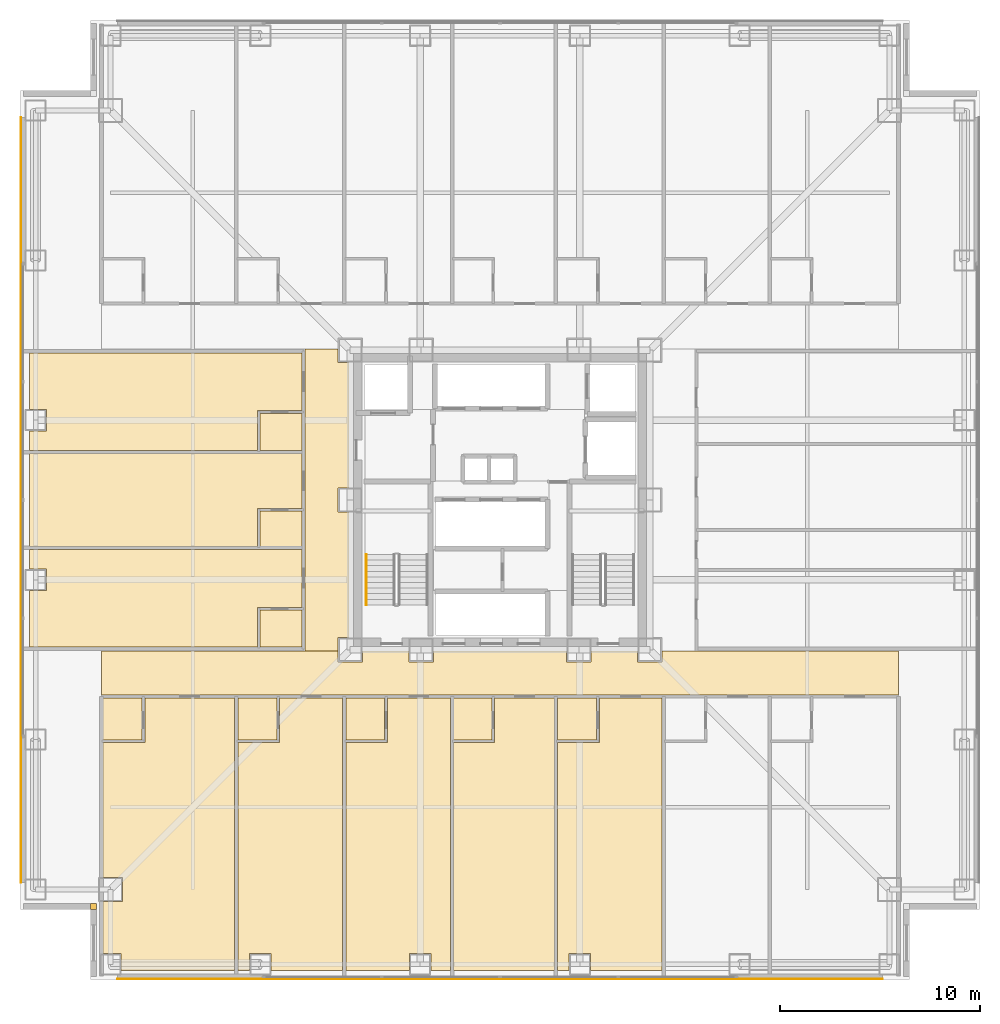
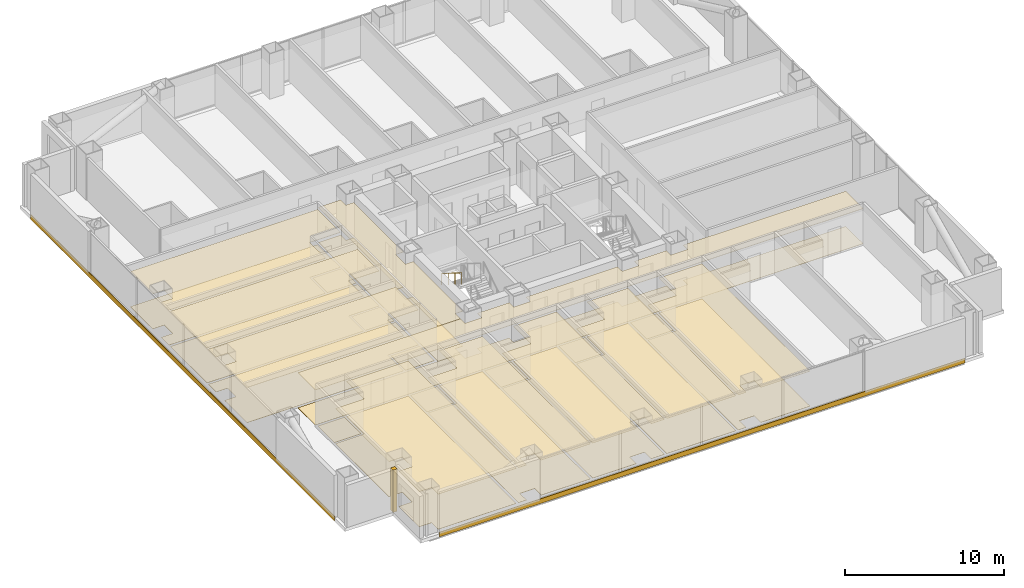
# One storey, part 21 of 23: 31 coverings, 1 railing.
"""IFC4 building model written with IfcOpenShell, lengths in metres."""

from ifc_helpers import new_model, si_unit, direction, frame, frame_2d, origin, origin_2d, place, context, subcontext, project, spatial, polyline, rectangle, circle, outline, extrude, material, layer, layer_set, type_object, element, save


model = new_model("IFC4")

# Units and contexts
model_context = context("Model", 3, precision=1e-05, world=origin(), true_north=direction((0.0, 1.0)))
body_context = subcontext(model_context, "Body", "Model", "MODEL_VIEW")
ifc_project = project(units=[si_unit("LENGTHUNIT", "METRE"), si_unit("AREAUNIT", "SQUARE_METRE"), si_unit("VOLUMEUNIT", "CUBIC_METRE"), si_unit("PLANEANGLEUNIT", "RADIAN"), si_unit("MASSUNIT", "GRAM", prefix="KILO")], contexts=[model_context])

# Site, building, storey
site_placement = place(None, origin())
site = spatial("IfcSite", under=ifc_project, at=site_placement, CompositionType="ELEMENT")
building_placement = place(site_placement, origin())
building = spatial("IfcBuilding", under=site, at=building_placement, Name="Trevonay Congress Spire", CompositionType="ELEMENT")
storey_placement = place(building_placement, frame((0.0, 0.0, 34.0)))
storey = spatial("IfcBuildingStorey", under=building, at=storey_placement, Name="L07", CompositionType="ELEMENT", Elevation=34.0)

# Coverings
ifc_material_1 = material(Name="Acoustic Mineral Fibre Board", Category="gypsum")
ifc_layer_1 = layer(ifc_material_1, 0.02490234375, Name="Acoustic Mineral Fibre Board")
ifc_layer_set_1 = layer_set([ifc_layer_1], Name="Acoustic Mineral Fibre Board")
covering_type_1 = type_object("IfcCoveringType", Name="COV-CEIL-ACOUSTIC", PredefinedType="CEILING", material=ifc_layer_set_1)
covering_1_placement = place(storey_placement, frame((0.0, 0.0, 2.699951171875)))
element("IfcCovering", 1, at=covering_1_placement, inside=storey, type_object=covering_type_1, Name="L07 Hotel Floor Corridor South acoustic suspended ceiling", PredefinedType="CEILING", context=body_context, shape_type="SweptSolid", body=[
    extrude(outline(polyline([(19.949951171875, -7.550048828125), (19.949951171875, -9.75), (-19.949951171875, -9.75), (-19.949951171875, -7.550048828125), (-8.110107421875, -7.550048828125), (-8.110107421875, -8.110107421875), (-6.889892578125, -8.110107421875), (-6.889892578125, -7.550048828125), (-4.56005859375, -7.550048828125), (-4.56005859375, -8.110107421875), (-3.340087890625, -8.110107421875), (-3.340087890625, -7.550048828125), (3.340087890625, -7.550048828125), (3.340087890625, -8.110107421875), (4.56005859375, -8.110107421875), (4.56005859375, -7.550048828125), (6.889892578125, -7.550048828125), (6.889892578125, -8.110107421875), (8.110107421875, -8.110107421875), (8.110107421875, -7.550048828125), (19.949951171875, -7.550048828125)])), origin(), (0.0, 0.0, 1.0), 0.025146484375),
])
covering_2_placement = place(storey_placement, frame((0.0, 0.0, 2.699951171875)))
element("IfcCovering", 2, at=covering_2_placement, inside=storey, type_object=covering_type_1, Name="L07 Hotel Floor Corridor West acoustic suspended ceiling", PredefinedType="CEILING", context=body_context, shape_type="SweptSolid", body=[
    extrude(outline(polyline([(-9.75, 7.550048828125), (-8.110107421875, 7.550048828125), (-8.110107421875, 6.889892578125), (-7.550048828125, 6.889892578125), (-7.550048828125, 0.610107421875), (-8.110107421875, 0.610107421875), (-8.110107421875, -0.610107421875), (-7.550048828125, -0.610107421875), (-7.550048828125, -6.889892578125), (-8.110107421875, -6.889892578125), (-8.110107421875, -7.550048828125), (-9.75, -7.550048828125), (-9.75, 7.550048828125)])), origin(), (0.0, 0.0, 1.0), 0.025146484375),
])
covering_3_placement = place(storey_placement, frame((0.0, 0.0, 2.699951171875)))
element("IfcCovering", 3, at=covering_3_placement, inside=storey, type_object=covering_type_1, Name="L07 Corner Hotel Suite acoustic suspended ceiling", PredefinedType="CEILING", context=body_context, shape_type="SweptSolid", body=[
    extrude(outline(polyline([(-19.8701171875, -12.139892578125), (-17.780029296875, -12.139892578125), (-17.780029296875, -9.909912109375), (-13.280029296875, -9.909912109375), (-13.280029296875, -23.550048828125), (-18.965087890625, -23.550048828125), (-18.965087890625, -22.715087890625), (-19.8701171875, -22.715087890625), (-19.8701171875, -20.110107421875), (-18.889892578125, -20.110107421875), (-18.889892578125, -18.889892578125), (-19.8701171875, -18.889892578125), (-19.8701171875, -12.139892578125)])), origin(), (0.0, 0.0, 1.0), 0.025146484375),
])
covering_4_placement = place(storey_placement, frame((0.0, 0.0, 2.699951171875)))
element("IfcCovering", 4, at=covering_4_placement, inside=storey, type_object=covering_type_1, Name="L07 Hotel Guest Room acoustic suspended ceiling", PredefinedType="CEILING", context=body_context, shape_type="SweptSolid", body=[
    extrude(outline(polyline([(-13.1201171875, -23.550048828125), (-13.1201171875, -12.139892578125), (-11.030029296875, -12.139892578125), (-11.030029296875, -9.909912109375), (-7.8798828125, -9.909912109375), (-7.8798828125, -23.550048828125), (-11.465087890625, -23.550048828125), (-11.465087890625, -22.715087890625), (-12.534912109375, -22.715087890625), (-12.534912109375, -23.550048828125), (-13.1201171875, -23.550048828125)])), origin(), (0.0, 0.0, 1.0), 0.025146484375),
])
covering_5_placement = place(storey_placement, frame((0.0, 0.0, 2.699951171875)))
element("IfcCovering", 5, at=covering_5_placement, inside=storey, type_object=covering_type_1, Name="L07 Hotel Guest Room acoustic suspended ceiling", PredefinedType="CEILING", context=body_context, shape_type="SweptSolid", body=[
    extrude(outline(polyline([(-7.719970703125, -23.550048828125), (-7.719970703125, -12.139892578125), (-5.6298828125, -12.139892578125), (-5.6298828125, -9.909912109375), (-2.47998046875, -9.909912109375), (-2.47998046875, -23.550048828125), (-3.465087890625, -23.550048828125), (-3.465087890625, -22.715087890625), (-4.534912109375, -22.715087890625), (-4.534912109375, -23.550048828125), (-7.719970703125, -23.550048828125)])), origin(), (0.0, 0.0, 1.0), 0.025146484375),
])
covering_6_placement = place(storey_placement, frame((0.0, 0.0, 2.699951171875)))
element("IfcCovering", 6, at=covering_6_placement, inside=storey, type_object=covering_type_1, Name="L07 Hotel Guest Room acoustic suspended ceiling", PredefinedType="CEILING", context=body_context, shape_type="SweptSolid", body=[
    extrude(outline(polyline([(-2.320068359375, -23.550048828125), (2.719970703125, -23.550048828125), (2.719970703125, -9.909912109375), (-0.264892578125, -9.909912109375), (-0.264892578125, -12.139892578125), (-2.320068359375, -12.139892578125), (-2.320068359375, -23.550048828125)])), origin(), (0.0, 0.0, 1.0), 0.025146484375),
])
covering_7_placement = place(storey_placement, frame((0.0, 0.0, 2.699951171875)))
element("IfcCovering", 7, at=covering_7_placement, inside=storey, type_object=covering_type_1, Name="L07 Hotel Guest Room acoustic suspended ceiling", PredefinedType="CEILING", context=body_context, shape_type="SweptSolid", body=[
    extrude(outline(polyline([(2.8798828125, -23.550048828125), (2.8798828125, -12.139892578125), (4.969970703125, -12.139892578125), (4.969970703125, -9.909912109375), (8.1201171875, -9.909912109375), (8.1201171875, -23.550048828125), (4.534912109375, -23.550048828125), (4.534912109375, -22.715087890625), (3.465087890625, -22.715087890625), (3.465087890625, -23.550048828125), (2.8798828125, -23.550048828125)])), origin(), (0.0, 0.0, 1.0), 0.025146484375),
])
covering_8_placement = place(storey_placement, frame((0.0, 0.0, 2.699951171875)))
element("IfcCovering", 8, at=covering_8_placement, inside=storey, type_object=covering_type_1, Name="L07 Hotel Guest Room acoustic suspended ceiling", PredefinedType="CEILING", context=body_context, shape_type="SweptSolid", body=[
    extrude(outline(polyline([(-23.550048828125, -4.534912109375), (-22.715087890625, -4.534912109375), (-22.715087890625, -3.465087890625), (-23.550048828125, -3.465087890625), (-23.550048828125, -2.47998046875), (-9.909912109375, -2.47998046875), (-9.909912109375, -5.3720703125), (-12.139892578125, -5.3720703125), (-12.139892578125, -7.3701171875), (-23.550048828125, -7.3701171875), (-23.550048828125, -4.534912109375)])), origin(), (0.0, 0.0, 1.0), 0.025146484375),
])
covering_9_placement = place(storey_placement, frame((0.0, 0.0, 2.699951171875)))
element("IfcCovering", 9, at=covering_9_placement, inside=storey, type_object=covering_type_1, Name="L07 Corner Hotel Suite acoustic suspended ceiling", PredefinedType="CEILING", context=body_context, shape_type="SweptSolid", body=[
    extrude(outline(polyline([(-23.550048828125, -2.320068359375), (-23.550048828125, 2.320068359375), (-9.909912109375, 2.320068359375), (-9.909912109375, -0.4169921875), (-12.139892578125, -0.4169921875), (-12.139892578125, -2.320068359375), (-23.550048828125, -2.320068359375)])), origin(), (0.0, 0.0, 1.0), 0.025146484375),
])
covering_10_placement = place(storey_placement, frame((0.0, 0.0, 2.699951171875)))
element("IfcCovering", 10, at=covering_10_placement, inside=storey, type_object=covering_type_1, Name="L07 Hotel Guest Room acoustic suspended ceiling", PredefinedType="CEILING", context=body_context, shape_type="SweptSolid", body=[
    extrude(outline(polyline([(-23.550048828125, 3.465087890625), (-22.715087890625, 3.465087890625), (-22.715087890625, 4.534912109375), (-23.550048828125, 4.534912109375), (-23.550048828125, 7.3701171875), (-9.909912109375, 7.3701171875), (-9.909912109375, 4.47802734375), (-12.139892578125, 4.47802734375), (-12.139892578125, 2.47998046875), (-23.550048828125, 2.47998046875), (-23.550048828125, 3.465087890625)])), origin(), (0.0, 0.0, 1.0), 0.025146484375),
])
ifc_material_2 = material(Name="Polished Granite Floor Tile", Category="masonry")
ifc_layer_2 = layer(ifc_material_2, 0.02001953125, Name="Polished Granite Floor Tile")
ifc_layer_set_2 = layer_set([ifc_layer_2], Name="Polished Granite Floor Tile")
covering_type_2 = type_object("IfcCoveringType", Name="COV-FLOOR-STONE", PredefinedType="FLOORING", material=ifc_layer_set_2)
covering_11_placement = place(storey_placement, origin())
element("IfcCovering", 11, at=covering_11_placement, inside=storey, type_object=covering_type_2, Name="L07 Hotel Floor Corridor South floor finish", PredefinedType="FLOORING", context=body_context, shape_type="SweptSolid", body=[
    extrude(outline(polyline([(19.949951171875, -7.550048828125), (19.949951171875, -9.75), (-19.949951171875, -9.75), (-19.949951171875, -7.550048828125), (-8.110107421875, -7.550048828125), (-8.110107421875, -8.110107421875), (-6.889892578125, -8.110107421875), (-6.889892578125, -7.550048828125), (-4.56005859375, -7.550048828125), (-4.56005859375, -8.110107421875), (-3.340087890625, -8.110107421875), (-3.340087890625, -7.550048828125), (3.340087890625, -7.550048828125), (3.340087890625, -8.110107421875), (4.56005859375, -8.110107421875), (4.56005859375, -7.550048828125), (6.889892578125, -7.550048828125), (6.889892578125, -8.110107421875), (8.110107421875, -8.110107421875), (8.110107421875, -7.550048828125), (19.949951171875, -7.550048828125)])), origin(), (0.0, 0.0, 1.0), 0.02001953125),
])
covering_12_placement = place(storey_placement, origin())
element("IfcCovering", 12, at=covering_12_placement, inside=storey, type_object=covering_type_2, Name="L07 Hotel Floor Corridor West floor finish", PredefinedType="FLOORING", context=body_context, shape_type="SweptSolid", body=[
    extrude(outline(polyline([(-9.75, 7.550048828125), (-8.110107421875, 7.550048828125), (-8.110107421875, 6.889892578125), (-7.550048828125, 6.889892578125), (-7.550048828125, 0.610107421875), (-8.110107421875, 0.610107421875), (-8.110107421875, -0.610107421875), (-7.550048828125, -0.610107421875), (-7.550048828125, -6.889892578125), (-8.110107421875, -6.889892578125), (-8.110107421875, -7.550048828125), (-9.75, -7.550048828125), (-9.75, 7.550048828125)])), origin(), (0.0, 0.0, 1.0), 0.02001953125),
])
covering_13_placement = place(storey_placement, origin())
element("IfcCovering", 13, at=covering_13_placement, inside=storey, type_object=covering_type_2, Name="L07 En-suite Bathroom floor finish", PredefinedType="FLOORING", context=body_context, shape_type="SweptSolid", body=[
    extrude(outline(polyline([(-19.8701171875, -12.02001953125), (-17.919921875, -12.02001953125), (-17.919921875, -9.909912109375), (-19.8701171875, -9.909912109375), (-19.8701171875, -12.02001953125)])), origin(), (0.0, 0.0, 1.0), 0.02001953125),
])
covering_14_placement = place(storey_placement, origin())
element("IfcCovering", 14, at=covering_14_placement, inside=storey, type_object=covering_type_2, Name="L07 En-suite Bathroom floor finish", PredefinedType="FLOORING", context=body_context, shape_type="SweptSolid", body=[
    extrude(outline(polyline([(-13.1201171875, -12.02001953125), (-11.169921875, -12.02001953125), (-11.169921875, -9.909912109375), (-13.1201171875, -9.909912109375), (-13.1201171875, -12.02001953125)])), origin(), (0.0, 0.0, 1.0), 0.02001953125),
])
covering_15_placement = place(storey_placement, origin())
element("IfcCovering", 15, at=covering_15_placement, inside=storey, type_object=covering_type_2, Name="L07 En-suite Bathroom floor finish", PredefinedType="FLOORING", context=body_context, shape_type="SweptSolid", body=[
    extrude(outline(polyline([(-7.719970703125, -12.02001953125), (-5.77001953125, -12.02001953125), (-5.77001953125, -9.909912109375), (-7.719970703125, -9.909912109375), (-7.719970703125, -12.02001953125)])), origin(), (0.0, 0.0, 1.0), 0.02001953125),
])
covering_16_placement = place(storey_placement, origin())
element("IfcCovering", 16, at=covering_16_placement, inside=storey, type_object=covering_type_2, Name="L07 En-suite Bathroom floor finish", PredefinedType="FLOORING", context=body_context, shape_type="SweptSolid", body=[
    extrude(outline(polyline([(-2.320068359375, -12.02001953125), (-0.405029296875, -12.02001953125), (-0.405029296875, -9.909912109375), (-2.320068359375, -9.909912109375), (-2.320068359375, -12.02001953125)])), origin(), (0.0, 0.0, 1.0), 0.02001953125),
])
covering_17_placement = place(storey_placement, origin())
element("IfcCovering", 17, at=covering_17_placement, inside=storey, type_object=covering_type_2, Name="L07 En-suite Bathroom floor finish", PredefinedType="FLOORING", context=body_context, shape_type="SweptSolid", body=[
    extrude(outline(polyline([(2.8798828125, -12.02001953125), (4.830078125, -12.02001953125), (4.830078125, -9.909912109375), (2.8798828125, -9.909912109375), (2.8798828125, -12.02001953125)])), origin(), (0.0, 0.0, 1.0), 0.02001953125),
])
covering_18_placement = place(storey_placement, origin())
element("IfcCovering", 18, at=covering_18_placement, inside=storey, type_object=covering_type_2, Name="L07 En-suite Bathroom floor finish", PredefinedType="FLOORING", context=body_context, shape_type="SweptSolid", body=[
    extrude(outline(polyline([(-12.02001953125, -7.3701171875), (-9.909912109375, -7.3701171875), (-9.909912109375, -5.511962890625), (-12.02001953125, -5.511962890625), (-12.02001953125, -7.3701171875)])), origin(), (0.0, 0.0, 1.0), 0.02001953125),
])
covering_19_placement = place(storey_placement, origin())
element("IfcCovering", 19, at=covering_19_placement, inside=storey, type_object=covering_type_2, Name="L07 En-suite Bathroom floor finish", PredefinedType="FLOORING", context=body_context, shape_type="SweptSolid", body=[
    extrude(outline(polyline([(-12.02001953125, -2.320068359375), (-9.909912109375, -2.320068359375), (-9.909912109375, -0.556884765625), (-12.02001953125, -0.556884765625), (-12.02001953125, -2.320068359375)])), origin(), (0.0, 0.0, 1.0), 0.02001953125),
])
covering_20_placement = place(storey_placement, origin())
element("IfcCovering", 20, at=covering_20_placement, inside=storey, type_object=covering_type_2, Name="L07 En-suite Bathroom floor finish", PredefinedType="FLOORING", context=body_context, shape_type="SweptSolid", body=[
    extrude(outline(polyline([(-12.02001953125, 2.47998046875), (-9.909912109375, 2.47998046875), (-9.909912109375, 4.337890625), (-12.02001953125, 4.337890625), (-12.02001953125, 2.47998046875)])), origin(), (0.0, 0.0, 1.0), 0.02001953125),
])
ifc_material_3 = material(Name="Engineered Oak Flooring", Category="wood")
ifc_layer_3 = layer(ifc_material_3, 0.01806640625, Name="Engineered Oak Flooring")
ifc_layer_set_3 = layer_set([ifc_layer_3], Name="Engineered Oak Flooring")
covering_type_3 = type_object("IfcCoveringType", Name="COV-FLOOR-TIMBER", PredefinedType="FLOORING", material=ifc_layer_set_3)
covering_21_placement = place(storey_placement, origin())
element("IfcCovering", 21, at=covering_21_placement, inside=storey, type_object=covering_type_3, Name="L07 Corner Hotel Suite floor finish", PredefinedType="FLOORING", context=body_context, shape_type="SweptSolid", body=[
    extrude(outline(polyline([(-19.8701171875, -12.139892578125), (-17.780029296875, -12.139892578125), (-17.780029296875, -9.909912109375), (-13.280029296875, -9.909912109375), (-13.280029296875, -23.550048828125), (-18.965087890625, -23.550048828125), (-18.965087890625, -22.715087890625), (-19.8701171875, -22.715087890625), (-19.8701171875, -20.110107421875), (-18.889892578125, -20.110107421875), (-18.889892578125, -18.889892578125), (-19.8701171875, -18.889892578125), (-19.8701171875, -12.139892578125)])), origin(), (0.0, 0.0, 1.0), 0.01806640625),
])
covering_22_placement = place(storey_placement, origin())
element("IfcCovering", 22, at=covering_22_placement, inside=storey, type_object=covering_type_3, Name="L07 Hotel Guest Room floor finish", PredefinedType="FLOORING", context=body_context, shape_type="SweptSolid", body=[
    extrude(outline(polyline([(-13.1201171875, -23.550048828125), (-13.1201171875, -12.139892578125), (-11.030029296875, -12.139892578125), (-11.030029296875, -9.909912109375), (-7.8798828125, -9.909912109375), (-7.8798828125, -23.550048828125), (-11.465087890625, -23.550048828125), (-11.465087890625, -22.715087890625), (-12.534912109375, -22.715087890625), (-12.534912109375, -23.550048828125), (-13.1201171875, -23.550048828125)])), origin(), (0.0, 0.0, 1.0), 0.01806640625),
])
covering_23_placement = place(storey_placement, origin())
element("IfcCovering", 23, at=covering_23_placement, inside=storey, type_object=covering_type_3, Name="L07 Hotel Guest Room floor finish", PredefinedType="FLOORING", context=body_context, shape_type="SweptSolid", body=[
    extrude(outline(polyline([(-7.719970703125, -23.550048828125), (-7.719970703125, -12.139892578125), (-5.6298828125, -12.139892578125), (-5.6298828125, -9.909912109375), (-2.47998046875, -9.909912109375), (-2.47998046875, -23.550048828125), (-3.465087890625, -23.550048828125), (-3.465087890625, -22.715087890625), (-4.534912109375, -22.715087890625), (-4.534912109375, -23.550048828125), (-7.719970703125, -23.550048828125)])), origin(), (0.0, 0.0, 1.0), 0.01806640625),
])
covering_24_placement = place(storey_placement, origin())
element("IfcCovering", 24, at=covering_24_placement, inside=storey, type_object=covering_type_3, Name="L07 Hotel Guest Room floor finish", PredefinedType="FLOORING", context=body_context, shape_type="SweptSolid", body=[
    extrude(outline(polyline([(-2.320068359375, -23.550048828125), (2.719970703125, -23.550048828125), (2.719970703125, -9.909912109375), (-0.264892578125, -9.909912109375), (-0.264892578125, -12.139892578125), (-2.320068359375, -12.139892578125), (-2.320068359375, -23.550048828125)])), origin(), (0.0, 0.0, 1.0), 0.01806640625),
])
covering_25_placement = place(storey_placement, origin())
element("IfcCovering", 25, at=covering_25_placement, inside=storey, type_object=covering_type_3, Name="L07 Hotel Guest Room floor finish", PredefinedType="FLOORING", context=body_context, shape_type="SweptSolid", body=[
    extrude(outline(polyline([(2.8798828125, -23.550048828125), (2.8798828125, -12.139892578125), (4.969970703125, -12.139892578125), (4.969970703125, -9.909912109375), (8.1201171875, -9.909912109375), (8.1201171875, -23.550048828125), (4.534912109375, -23.550048828125), (4.534912109375, -22.715087890625), (3.465087890625, -22.715087890625), (3.465087890625, -23.550048828125), (2.8798828125, -23.550048828125)])), origin(), (0.0, 0.0, 1.0), 0.01806640625),
])
covering_26_placement = place(storey_placement, origin())
element("IfcCovering", 26, at=covering_26_placement, inside=storey, type_object=covering_type_3, Name="L07 Hotel Guest Room floor finish", PredefinedType="FLOORING", context=body_context, shape_type="SweptSolid", body=[
    extrude(outline(polyline([(-23.550048828125, -4.534912109375), (-22.715087890625, -4.534912109375), (-22.715087890625, -3.465087890625), (-23.550048828125, -3.465087890625), (-23.550048828125, -2.47998046875), (-9.909912109375, -2.47998046875), (-9.909912109375, -5.3720703125), (-12.139892578125, -5.3720703125), (-12.139892578125, -7.3701171875), (-23.550048828125, -7.3701171875), (-23.550048828125, -4.534912109375)])), origin(), (0.0, 0.0, 1.0), 0.01806640625),
])
covering_27_placement = place(storey_placement, origin())
element("IfcCovering", 27, at=covering_27_placement, inside=storey, type_object=covering_type_3, Name="L07 Corner Hotel Suite floor finish", PredefinedType="FLOORING", context=body_context, shape_type="SweptSolid", body=[
    extrude(outline(polyline([(-23.550048828125, -2.320068359375), (-23.550048828125, 2.320068359375), (-9.909912109375, 2.320068359375), (-9.909912109375, -0.4169921875), (-12.139892578125, -0.4169921875), (-12.139892578125, -2.320068359375), (-23.550048828125, -2.320068359375)])), origin(), (0.0, 0.0, 1.0), 0.01806640625),
])
covering_28_placement = place(storey_placement, origin())
element("IfcCovering", 28, at=covering_28_placement, inside=storey, type_object=covering_type_3, Name="L07 Hotel Guest Room floor finish", PredefinedType="FLOORING", context=body_context, shape_type="SweptSolid", body=[
    extrude(outline(polyline([(-23.550048828125, 3.465087890625), (-22.715087890625, 3.465087890625), (-22.715087890625, 4.534912109375), (-23.550048828125, 4.534912109375), (-23.550048828125, 7.3701171875), (-9.909912109375, 7.3701171875), (-9.909912109375, 4.47802734375), (-12.139892578125, 4.47802734375), (-12.139892578125, 2.47998046875), (-23.550048828125, 2.47998046875), (-23.550048828125, 3.465087890625)])), origin(), (0.0, 0.0, 1.0), 0.01806640625),
])
ifc_material_4 = material(Name="Pale Anodised Aluminium EN AW-6063-T6", Category="aluminium")
ifc_layer_4 = layer(ifc_material_4, 0.0400390625, Name="Pale Anodised Aluminium EN AW-6063-T6")
ifc_layer_set_4 = layer_set([ifc_layer_4], Name="Pale Anodised Aluminium EN AW-6063-T6")
covering_type_4 = type_object("IfcCoveringType", Name="COV-SPANDREL-PALE-METAL", PredefinedType="CLADDING", material=ifc_layer_set_4)
for number, where, z_axis, x_axis, name in (
    (29, (-19.14990234375, -23.97998046875, -0.239990234375), (0.0, 0.0, 1.0), (1.0, 0.0, 0.0), "L07 S pale-metal slab-edge spandrel cladding"),
    (30, (-23.97998046875, -19.14990234375, -0.239990234375), (0.0, 0.0, 1.0), (0.0, 1.0, 0.0), "L07 W pale-metal slab-edge spandrel cladding"),
):
    element("IfcCovering", number, at=place(storey_placement, frame(where, z_axis=z_axis, x_axis=x_axis)), inside=storey, type_object=covering_type_4, Name=name, PredefinedType="CLADDING", context=body_context, shape_type="SweptSolid", body=[
        extrude(rectangle(XDim=38.2998046875, YDim=0.0400390625, at=frame_2d((19.14990234375, 0.0))), origin(), (0.0, 0.0, 1.0), 0.360107421875),
    ])
covering_29_placement = place(storey_placement, origin())
element("IfcCovering", 31, at=covering_29_placement, inside=storey, type_object=covering_type_4, Name="L07 SW re-entrant notch corner closure trim", PredefinedType="CLADDING", context=body_context, shape_type="SweptSolid", body=[
    extrude(outline(polyline([(-20.5, -20.5), (-20.199951171875, -20.5), (-20.199951171875, -20.199951171875), (-20.5, -20.199951171875), (-20.5, -20.5)])), origin(), (0.0, 0.0, 1.0), 3.25),
])

# Railing
railing_type = type_object("IfcRailingType", Name="RAL-STAIR-HANDRAIL", PredefinedType="HANDRAIL", material=ifc_material_4)
railing_placement = place(storey_placement, frame((-6.699951171875, -2.72998046875, 1.925048828125)))
element("IfcRailing", 32, at=railing_placement, inside=storey, type_object=railing_type, Name="L07 ST-1 stair handrail 2", PredefinedType="HANDRAIL", context=body_context, shape_type="SweptSolid", body=[
    extrude(circle(Radius=0.02392578125, at=origin_2d()), frame((0.0, 0.0, 0.8759765625), z_axis=(0.0, -0.848007534815, 0.529984170421), x_axis=(1.0, 0.0, 0.0)), (0.0, 0.0, 1.0), 2.9716796875),
    extrude(circle(Radius=0.02099609375, at=origin_2d()), origin(), (0.0, 0.0, 1.0), 0.851806640625),
    extrude(circle(Radius=0.02099609375, at=origin_2d()), frame((0.0, -0.840087890625, 0.52490234375)), (0.0, 0.0, 1.0), 0.851806640625),
    extrude(circle(Radius=0.02099609375, at=origin_2d()), frame((0.0, -1.679931640625, 1.050048828125)), (0.0, 0.0, 1.0), 0.851806640625),
    extrude(circle(Radius=0.02099609375, at=origin_2d()), frame((0.0, -2.52001953125, 1.574951171875)), (0.0, 0.0, 1.0), 0.851806640625),
])

save(model, "model.ifc")
